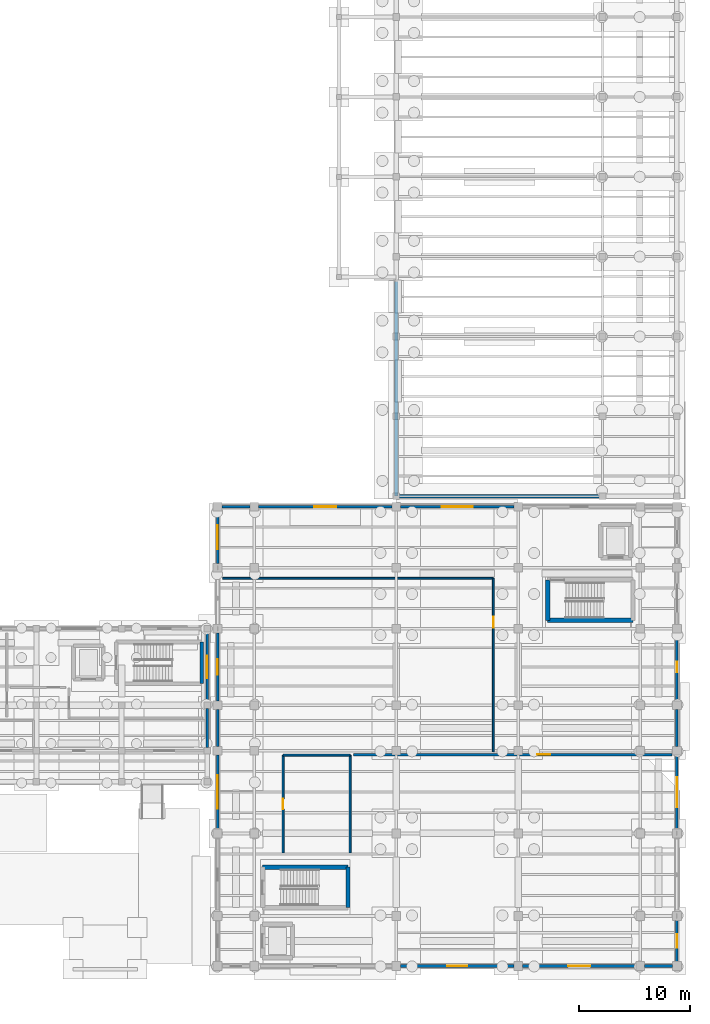
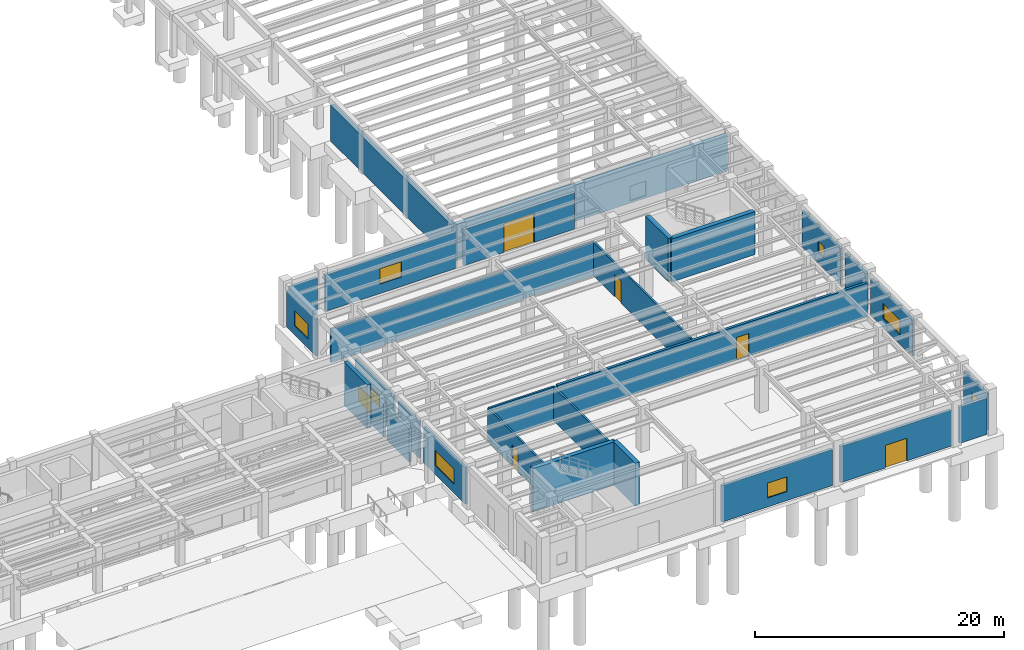
# One storey, part 32 of 41: 29 walls, 9 windows, 5 doors, 14 openings.
"""IFC4 building model written with IfcOpenShell, lengths in metres."""

from ifc_helpers import new_model, si_unit, direction, frame, frame_2d, origin, place, context, subcontext, project, spatial, rectangle, extrude, material, layer, layer_set, type_object, element, fill, save


model = new_model("IFC4")

# Units and contexts
model_context = context("Model", 3, precision=1e-05, world=origin(), true_north=direction((0.0, 1.0)))
body_context = subcontext(model_context, "Body", "Model", "MODEL_VIEW")
ifc_project = project(units=[si_unit("LENGTHUNIT", "METRE"), si_unit("AREAUNIT", "SQUARE_METRE"), si_unit("VOLUMEUNIT", "CUBIC_METRE"), si_unit("PLANEANGLEUNIT", "RADIAN"), si_unit("MASSUNIT", "GRAM", prefix="KILO")], contexts=[model_context])

# Site, building, storey
site_placement = place(None, origin())
site = spatial("IfcSite", under=ifc_project, at=site_placement, CompositionType="ELEMENT")
building_placement = place(site_placement, origin())
building = spatial("IfcBuilding", under=site, at=building_placement, Name="Candilejo Ridge Gondola Terminal", CompositionType="ELEMENT")
storey_placement = place(building_placement, origin())
storey = spatial("IfcBuildingStorey", under=building, at=storey_placement, Name="L00", CompositionType="ELEMENT", Elevation=0.0)

# Wall
ifc_material_1 = material(Name="Concrete C20/25 masonry blockwork (f'm 14 MPa)", Category="masonry")
ifc_layer_1 = layer(ifc_material_1, 0.219970703125)
ifc_layer_set_1 = layer_set([ifc_layer_1], Name="ARC-EXT-WALL-220")
wall_type_1 = type_object("IfcWallType", Name="ARC-EXT-WALL-220", PredefinedType="STANDARD", material=ifc_layer_set_1)
wall_1_placement = place(storey_placement, frame((132.949951171875, 29.5, 0.0), z_axis=(0.0, 0.0, 1.0), x_axis=(0.0, -1.0, 0.0)))
element("IfcWall", 1, at=wall_1_placement, inside=storey, type_object=wall_type_1, Name="Exterior facade wall EW-V3-L00-072", PredefinedType="STANDARD", context=body_context, shape_type="SweptSolid", body=[
    extrude(rectangle(XDim=3.5, YDim=0.219970703125, at=frame_2d((1.75, 0.0))), origin(), (0.0, 0.0, 1.0), 3.239990234375),
])

# Wall, opening, window
wall_2_placement = place(storey_placement, frame((132.949951171875, 36.39990234375, 0.0), z_axis=(0.0, 0.0, 1.0), x_axis=(0.0, -1.0, 0.0)))
wall_2 = element("IfcWall", 2, at=wall_2_placement, inside=storey, type_object=wall_type_1, Name="Exterior facade wall EW-V3-L00-074", PredefinedType="STANDARD", context=body_context, shape_type="SweptSolid", body=[
    extrude(rectangle(XDim=6.2998046875, YDim=0.219970703125, at=frame_2d((3.14990234375, 0.0))), origin(), (0.0, 0.0, 1.0), 3.239990234375),
])
opening_1_placement = place(wall_2_placement, frame((2.14990234375, 0.0, 0.919921875)))
opening_1 = element("IfcOpeningElement", 3, at=opening_1_placement, cuts=wall_2, Name="Opening WN-01C", PredefinedType="OPENING", context=body_context, shape_type="SweptSolid", body=[
    extrude(rectangle(XDim=2.0, YDim=1.5, at=frame_2d((1.0, 0.75))), frame((0.0, 0.119873046875, 0.0), z_axis=(0.0, -1.0, 0.0), x_axis=(1.0, 0.0, 0.0)), (0.0, 0.0, 1.0), 0.239990234375),
])
ifc_material_2 = material(Name="Low-E laminated double glazing 6+12A+6+1.52PVB+6 mm", Category="glass")
window_type_1 = type_object("IfcWindowType", Name="ARC-WIN-2000X1500", PartitioningType="SINGLE_PANEL", PredefinedType="WINDOW", material=ifc_material_2)
window_1_placement = place(opening_1_placement, origin())
window_1 = element("IfcWindow", 4, at=window_1_placement, inside=storey, type_object=window_type_1, Name="Window WIN-034", OverallHeight=1.5, OverallWidth=2.0, PartitioningType="SINGLE_PANEL", PredefinedType="WINDOW", context=body_context, shape_type="SweptSolid", body=[
    extrude(rectangle(XDim=2.0, YDim=1.5, at=frame_2d((1.0, 0.75))), frame((0.0, 0.030029296875, 0.0), z_axis=(0.0, -1.0, 0.0), x_axis=(1.0, 0.0, 0.0)), (0.0, 0.0, 1.0), 0.06005859375),
])
fill(opening_1, window_1)

wall_3_placement = place(storey_placement, frame((175.300048828125, 10.425048828125, 0.0), z_axis=(0.0, 0.0, 1.0), x_axis=(0.0, -1.0, 0.0)))
wall_3 = element("IfcWall", 5, at=wall_3_placement, inside=storey, type_object=wall_type_1, Name="Exterior facade wall EW-V4-L00-100", PredefinedType="STANDARD", context=body_context, shape_type="SweptSolid", body=[
    extrude(rectangle(XDim=3.75, YDim=0.219970703125, at=frame_2d((1.875, 0.0))), origin(), (0.0, 0.0, 1.0), 3.544921875),
])
opening_2_placement = place(wall_3_placement, frame((1.27490234375, 0.0, 1.050048828125)))
opening_2 = element("IfcOpeningElement", 6, at=opening_2_placement, cuts=wall_3, Name="Opening WN-04B", PredefinedType="OPENING", context=body_context, shape_type="SweptSolid", body=[
    extrude(rectangle(XDim=1.199951171875, YDim=1.14990234375, at=frame_2d((0.60009765625, 0.574951171875))), frame((0.0, 0.119873046875, 0.0), z_axis=(0.0, -1.0, 0.0), x_axis=(1.0, 0.0, 0.0)), (0.0, 0.0, 1.0), 0.239990234375),
])
ifc_material_3 = material(Name="Low-E laminated double glazing 6+12A+6+1.52PVB+6 mm", Category="glass")
window_type_2 = type_object("IfcWindowType", Name="ARC-WIN-1200X1150", PartitioningType="SINGLE_PANEL", PredefinedType="WINDOW", material=ifc_material_3)
window_2_placement = place(opening_2_placement, origin())
window_2 = element("IfcWindow", 7, at=window_2_placement, inside=storey, type_object=window_type_2, Name="Window WIN-047", OverallHeight=1.14990234375, OverallWidth=1.199951171875, PartitioningType="SINGLE_PANEL", PredefinedType="WINDOW", context=body_context, shape_type="SweptSolid", body=[
    extrude(rectangle(XDim=1.199951171875, YDim=1.14990234375, at=frame_2d((0.60009765625, 0.574951171875))), frame((0.0, 0.030029296875, 0.0), z_axis=(0.0, -1.0, 0.0), x_axis=(1.0, 0.0, 0.0)), (0.0, 0.0, 1.0), 0.06005859375),
])
fill(opening_2, window_2)

wall_4_placement = place(storey_placement, frame((133.89990234375, 18.625, 0.0), z_axis=(0.0, 0.0, 1.0), x_axis=(0.0, 1.0, 0.0)))
wall_4 = element("IfcWall", 8, at=wall_4_placement, inside=storey, type_object=wall_type_1, Name="Exterior facade wall EW-V4-L00-102", PredefinedType="STANDARD", context=body_context, shape_type="SweptSolid", body=[
    extrude(rectangle(XDim=6.699951171875, YDim=0.219970703125, at=frame_2d((3.35009765625, 0.0))), origin(), (0.0, 0.0, 1.0), 3.544921875),
])
opening_3_placement = place(wall_4_placement, frame((1.85009765625, 0.0, 0.8798828125)))
opening_3 = element("IfcOpeningElement", 9, at=opening_3_placement, cuts=wall_4, Name="Opening WN-05", PredefinedType="OPENING", context=body_context, shape_type="SweptSolid", body=[
    extrude(rectangle(XDim=3.0, YDim=1.449951171875, at=frame_2d((1.5, 0.72509765625))), frame((0.0, 0.119873046875, 0.0), z_axis=(0.0, -1.0, 0.0), x_axis=(1.0, 0.0, 0.0)), (0.0, 0.0, 1.0), 0.239990234375),
])
ifc_material_4 = material(Name="Low-E laminated double glazing 6+12A+6+1.52PVB+6 mm", Category="glass")
window_type_3 = type_object("IfcWindowType", Name="ARC-WIN-3000X1650", PartitioningType="SINGLE_PANEL", PredefinedType="WINDOW", material=ifc_material_4)
window_3_placement = place(opening_3_placement, origin())
window_3 = element("IfcWindow", 10, at=window_3_placement, inside=storey, type_object=window_type_3, Name="Window WIN-048", OverallHeight=1.449951171875, OverallWidth=3.0, PartitioningType="SINGLE_PANEL", PredefinedType="WINDOW", context=body_context, shape_type="SweptSolid", body=[
    extrude(rectangle(XDim=3.0, YDim=1.449951171875, at=frame_2d((1.5, 0.72509765625))), frame((0.0, 0.030029296875, 0.0), z_axis=(0.0, -1.0, 0.0), x_axis=(1.0, 0.0, 0.0)), (0.0, 0.0, 1.0), 0.06005859375),
])
fill(opening_3, window_3)

wall_5_placement = place(storey_placement, frame((175.300048828125, 25.324951171875, 0.0), z_axis=(0.0, 0.0, 1.0), x_axis=(0.0, -1.0, 0.0)))
wall_5 = element("IfcWall", 11, at=wall_5_placement, inside=storey, type_object=wall_type_1, Name="Exterior facade wall EW-V4-L00-103", PredefinedType="STANDARD", context=body_context, shape_type="SweptSolid", body=[
    extrude(rectangle(XDim=6.699951171875, YDim=0.219970703125, at=frame_2d((3.35009765625, 0.0))), origin(), (0.0, 0.0, 1.0), 3.544921875),
])
opening_4_placement = place(wall_5_placement, frame((2.0, 0.0, 0.8798828125)))
opening_4 = element("IfcOpeningElement", 12, at=opening_4_placement, cuts=wall_5, Name="Opening WN-05B", PredefinedType="OPENING", context=body_context, shape_type="SweptSolid", body=[
    extrude(rectangle(XDim=2.699951171875, YDim=1.449951171875, at=frame_2d((1.35009765625, 0.72509765625))), frame((0.0, 0.119873046875, 0.0), z_axis=(0.0, -1.0, 0.0), x_axis=(1.0, 0.0, 0.0)), (0.0, 0.0, 1.0), 0.239990234375),
])
ifc_material_5 = material(Name="Low-E laminated double glazing 6+12A+6+1.52PVB+6 mm", Category="glass")
window_type_4 = type_object("IfcWindowType", Name="ARC-WIN-2700X1550", PartitioningType="SINGLE_PANEL", PredefinedType="WINDOW", material=ifc_material_5)
window_4_placement = place(opening_4_placement, origin())
window_4 = element("IfcWindow", 13, at=window_4_placement, inside=storey, type_object=window_type_4, Name="Window WIN-049", OverallHeight=1.449951171875, OverallWidth=2.699951171875, PartitioningType="SINGLE_PANEL", PredefinedType="WINDOW", context=body_context, shape_type="SweptSolid", body=[
    extrude(rectangle(XDim=2.699951171875, YDim=1.449951171875, at=frame_2d((1.35009765625, 0.72509765625))), frame((0.0, 0.030029296875, 0.0), z_axis=(0.0, -1.0, 0.0), x_axis=(1.0, 0.0, 0.0)), (0.0, 0.0, 1.0), 0.06005859375),
])
fill(opening_4, window_4)

# Walls
for number, where, z_axis, x_axis, name in (
    (14, (133.89990234375, 26.074951171875, 0.0), (0.0, 0.0, 1.0), (0.0, 1.0, 0.0), "Exterior facade wall EW-V4-L00-104"),
    (15, (175.300048828125, 29.425048828125, 0.0), (0.0, 0.0, 1.0), (0.0, -1.0, 0.0), "Exterior facade wall EW-V4-L00-105"),
):
    element("IfcWall", number, at=place(storey_placement, frame(where, z_axis=z_axis, x_axis=x_axis)), inside=storey, type_object=wall_type_1, Name=name, PredefinedType="STANDARD", context=body_context, shape_type="SweptSolid", body=[
        extrude(rectangle(XDim=3.35009765625, YDim=0.219970703125, at=frame_2d((1.675048828125, 0.0))), origin(), (0.0, 0.0, 1.0), 3.544921875),
    ])

# Wall, opening, window
wall_6_placement = place(storey_placement, frame((133.89990234375, 30.175048828125, 0.0), z_axis=(0.0, 0.0, 1.0), x_axis=(0.0, 1.0, 0.0)))
wall_6 = element("IfcWall", 16, at=wall_6_placement, inside=storey, type_object=wall_type_1, Name="Exterior facade wall EW-V4-L00-106", PredefinedType="STANDARD", context=body_context, shape_type="SweptSolid", body=[
    extrude(rectangle(XDim=6.14990234375, YDim=0.219970703125, at=frame_2d((3.074951171875, 0.0))), origin(), (0.0, 0.0, 1.0), 3.544921875),
])
opening_5_placement = place(wall_6_placement, frame((2.375, 0.0, 1.050048828125)))
opening_5 = element("IfcOpeningElement", 17, at=opening_5_placement, cuts=wall_6, Name="Opening WN-05E", PredefinedType="OPENING", context=body_context, shape_type="SweptSolid", body=[
    extrude(rectangle(XDim=1.39990234375, YDim=1.10009765625, at=frame_2d((0.699951171875, 0.550048828125))), frame((0.0, 0.119873046875, 0.0), z_axis=(0.0, -1.0, 0.0), x_axis=(1.0, 0.0, 0.0)), (0.0, 0.0, 1.0), 0.239990234375),
])
ifc_material_6 = material(Name="Low-E laminated double glazing 6+12A+6+1.52PVB+6 mm", Category="glass")
window_type_5 = type_object("IfcWindowType", Name="ARC-WIN-1400X1100", PartitioningType="SINGLE_PANEL", PredefinedType="WINDOW", material=ifc_material_6)
window_5_placement = place(opening_5_placement, origin())
window_5 = element("IfcWindow", 18, at=window_5_placement, inside=storey, type_object=window_type_5, Name="Window WIN-050", OverallHeight=1.10009765625, OverallWidth=1.39990234375, PartitioningType="SINGLE_PANEL", PredefinedType="WINDOW", context=body_context, shape_type="SweptSolid", body=[
    extrude(rectangle(XDim=1.39990234375, YDim=1.10009765625, at=frame_2d((0.699951171875, 0.550048828125))), frame((0.0, 0.030029296875, 0.0), z_axis=(0.0, -1.0, 0.0), x_axis=(1.0, 0.0, 0.0)), (0.0, 0.0, 1.0), 0.06005859375),
])
fill(opening_5, window_5)

wall_7_placement = place(storey_placement, frame((175.300048828125, 36.324951171875, 0.0), z_axis=(0.0, 0.0, 1.0), x_axis=(0.0, -1.0, 0.0)))
wall_7 = element("IfcWall", 19, at=wall_7_placement, inside=storey, type_object=wall_type_1, Name="Exterior facade wall EW-V4-L00-107", PredefinedType="STANDARD", context=body_context, shape_type="SweptSolid", body=[
    extrude(rectangle(XDim=6.14990234375, YDim=0.219970703125, at=frame_2d((3.074951171875, 0.0))), origin(), (0.0, 0.0, 1.0), 3.544921875),
])
opening_6_placement = place(wall_7_placement, frame((2.60009765625, 0.0, 1.080078125)))
opening_6 = element("IfcOpeningElement", 20, at=opening_6_placement, cuts=wall_7, Name="Opening WN-05F", PredefinedType="OPENING", context=body_context, shape_type="SweptSolid", body=[
    extrude(rectangle(XDim=0.949951171875, YDim=1.050048828125, at=frame_2d((0.47509765625, 0.52490234375))), frame((0.0, 0.119873046875, 0.0), z_axis=(0.0, -1.0, 0.0), x_axis=(1.0, 0.0, 0.0)), (0.0, 0.0, 1.0), 0.239990234375),
])
ifc_material_7 = material(Name="Low-E laminated double glazing 6+12A+6+1.52PVB+6 mm", Category="glass")
window_type_6 = type_object("IfcWindowType", Name="ARC-WIN-0950X1050", PartitioningType="SINGLE_PANEL", PredefinedType="WINDOW", material=ifc_material_7)
window_6_placement = place(opening_6_placement, origin())
window_6 = element("IfcWindow", 21, at=window_6_placement, inside=storey, type_object=window_type_6, Name="Window WIN-051", OverallHeight=1.050048828125, OverallWidth=0.949951171875, PartitioningType="SINGLE_PANEL", PredefinedType="WINDOW", context=body_context, shape_type="SweptSolid", body=[
    extrude(rectangle(XDim=0.949951171875, YDim=1.050048828125, at=frame_2d((0.47509765625, 0.52490234375))), frame((0.0, 0.030029296875, 0.0), z_axis=(0.0, -1.0, 0.0), x_axis=(1.0, 0.0, 0.0)), (0.0, 0.0, 1.0), 0.06005859375),
])
fill(opening_6, window_6)

wall_8_placement = place(storey_placement, frame((133.89990234375, 42.574951171875, 0.0), z_axis=(0.0, 0.0, 1.0), x_axis=(0.0, 1.0, 0.0)))
wall_8 = element("IfcWall", 22, at=wall_8_placement, inside=storey, type_object=wall_type_1, Name="Exterior facade wall EW-V4-L00-109", PredefinedType="STANDARD", context=body_context, shape_type="SweptSolid", body=[
    extrude(rectangle(XDim=4.75, YDim=0.219970703125, at=frame_2d((2.375, 0.0))), origin(), (0.0, 0.0, 1.0), 3.544921875),
])
opening_7_placement = place(wall_8_placement, frame((1.27490234375, 0.0, 0.8798828125)))
opening_7 = element("IfcOpeningElement", 23, at=opening_7_placement, cuts=wall_8, Name="Opening WN-01B", PredefinedType="OPENING", context=body_context, shape_type="SweptSolid", body=[
    extrude(rectangle(XDim=2.199951171875, YDim=1.449951171875, at=frame_2d((1.10009765625, 0.72509765625))), frame((0.0, 0.119873046875, 0.0), z_axis=(0.0, -1.0, 0.0), x_axis=(1.0, 0.0, 0.0)), (0.0, 0.0, 1.0), 0.239990234375),
])
ifc_material_8 = material(Name="Low-E laminated double glazing 6+12A+6+1.52PVB+6 mm", Category="glass")
window_type_7 = type_object("IfcWindowType", Name="ARC-WIN-2200X1550", PartitioningType="SINGLE_PANEL", PredefinedType="WINDOW", material=ifc_material_8)
window_7_placement = place(opening_7_placement, origin())
window_7 = element("IfcWindow", 24, at=window_7_placement, inside=storey, type_object=window_type_7, Name="Window WIN-053", OverallHeight=1.449951171875, OverallWidth=2.199951171875, PartitioningType="SINGLE_PANEL", PredefinedType="WINDOW", context=body_context, shape_type="SweptSolid", body=[
    extrude(rectangle(XDim=2.199951171875, YDim=1.449951171875, at=frame_2d((1.10009765625, 0.72509765625))), frame((0.0, 0.030029296875, 0.0), z_axis=(0.0, -1.0, 0.0), x_axis=(1.0, 0.0, 0.0)), (0.0, 0.0, 1.0), 0.06005859375),
])
fill(opening_7, window_7)

# Wall
ifc_material_9 = material(Name="Cream Guayaquil limestone ashlar masonry (f'm 14 MPa)", Category="masonry")
ifc_layer_2 = layer(ifc_material_9, 0.25)
ifc_layer_set_2 = layer_set([ifc_layer_2], Name="ARC-EXT-WALL-250")
wall_type_2 = type_object("IfcWallType", Name="ARC-EXT-WALL-250", PredefinedType="STANDARD", material=ifc_layer_set_2)
wall_9_placement = place(storey_placement, frame((134.27490234375, 47.699951171875, 0.0), z_axis=(0.0, 0.0, 1.0), x_axis=(1.0, 0.0, 0.0)))
element("IfcWall", 25, at=wall_9_placement, inside=storey, type_object=wall_type_2, Name="Exterior facade wall EW-V4-L00-090", PredefinedType="STANDARD", context=body_context, shape_type="SweptSolid", body=[
    extrude(rectangle(XDim=2.550048828125, YDim=0.25, at=frame_2d((1.27490234375, 0.0))), origin(), (0.0, 0.0, 1.0), 3.544921875),
])

# Wall, opening, window
wall_10_placement = place(storey_placement, frame((137.574951171875, 47.699951171875, 0.0), z_axis=(0.0, 0.0, 1.0), x_axis=(1.0, 0.0, 0.0)))
wall_10 = element("IfcWall", 26, at=wall_10_placement, inside=storey, type_object=wall_type_2, Name="Exterior facade wall EW-V4-L00-092", PredefinedType="STANDARD", context=body_context, shape_type="SweptSolid", body=[
    extrude(rectangle(XDim=12.050048828125, YDim=0.25, at=frame_2d((6.02490234375, 0.0))), origin(), (0.0, 0.0, 1.0), 3.544921875),
])
opening_8_placement = place(wall_10_placement, frame((5.02490234375, 0.0, 0.919921875)))
opening_8 = element("IfcOpeningElement", 27, at=opening_8_placement, cuts=wall_10, Name="Opening WN-01C", PredefinedType="OPENING", context=body_context, shape_type="SweptSolid", body=[
    extrude(rectangle(XDim=2.0, YDim=1.5, at=frame_2d((1.0, 0.75))), frame((0.0, 0.135009765625, 0.0), z_axis=(0.0, -1.0, 0.0), x_axis=(1.0, 0.0, 0.0)), (0.0, 0.0, 1.0), 0.27001953125),
])
window_8_placement = place(opening_8_placement, origin())
window_8 = element("IfcWindow", 28, at=window_8_placement, inside=storey, type_object=window_type_1, Name="Window WIN-044", OverallHeight=1.5, OverallWidth=2.0, PartitioningType="SINGLE_PANEL", PredefinedType="WINDOW", context=body_context, shape_type="SweptSolid", body=[
    extrude(rectangle(XDim=2.0, YDim=1.5, at=frame_2d((1.0, 0.75))), frame((0.0, 0.030029296875, 0.0), z_axis=(0.0, -1.0, 0.0), x_axis=(1.0, 0.0, 0.0)), (0.0, 0.0, 1.0), 0.06005859375),
])
fill(opening_8, window_8)

wall_11_placement = place(storey_placement, frame((160.625, 6.300048828125, 0.0), z_axis=(0.0, 0.0, 1.0), x_axis=(-1.0, 0.0, 0.0)))
wall_11 = element("IfcWall", 29, at=wall_11_placement, inside=storey, type_object=wall_type_2, Name="Exterior facade wall EW-V4-L00-093", PredefinedType="STANDARD", context=body_context, shape_type="SweptSolid", body=[
    extrude(rectangle(XDim=10.25, YDim=0.25, at=frame_2d((5.125, 0.0))), origin(), (0.0, 0.0, 1.0), 3.544921875),
])
opening_9_placement = place(wall_11_placement, frame((4.22509765625, 0.0, 0.8798828125)))
opening_9 = element("IfcOpeningElement", 30, at=opening_9_placement, cuts=wall_11, Name="Opening WN-02", PredefinedType="OPENING", context=body_context, shape_type="SweptSolid", body=[
    extrude(rectangle(XDim=1.800048828125, YDim=1.449951171875, at=frame_2d((0.89990234375, 0.72509765625))), frame((0.0, 0.135009765625, 0.0), z_axis=(0.0, -1.0, 0.0), x_axis=(1.0, 0.0, 0.0)), (0.0, 0.0, 1.0), 0.27001953125),
])
ifc_material_10 = material(Name="Low-E laminated double glazing 6+12A+6+1.52PVB+6 mm", Category="glass")
window_type_8 = type_object("IfcWindowType", Name="ARC-WIN-1800X1650", PartitioningType="SINGLE_PANEL", PredefinedType="WINDOW", material=ifc_material_10)
window_9_placement = place(opening_9_placement, origin())
window_9 = element("IfcWindow", 31, at=window_9_placement, inside=storey, type_object=window_type_8, Name="Window WIN-045", OverallHeight=1.449951171875, OverallWidth=1.800048828125, PartitioningType="SINGLE_PANEL", PredefinedType="WINDOW", context=body_context, shape_type="SweptSolid", body=[
    extrude(rectangle(XDim=1.800048828125, YDim=1.449951171875, at=frame_2d((0.89990234375, 0.72509765625))), frame((0.0, 0.030029296875, 0.0), z_axis=(0.0, -1.0, 0.0), x_axis=(1.0, 0.0, 0.0)), (0.0, 0.0, 1.0), 0.06005859375),
])
fill(opening_9, window_9)

# Wall, opening, door
wall_12_placement = place(storey_placement, frame((150.375, 47.699951171875, 0.0), z_axis=(0.0, 0.0, 1.0), x_axis=(1.0, 0.0, 0.0)))
wall_12 = element("IfcWall", 32, at=wall_12_placement, inside=storey, type_object=wall_type_2, Name="Exterior facade wall EW-V4-L00-094", PredefinedType="STANDARD", context=body_context, shape_type="SweptSolid", body=[
    extrude(rectangle(XDim=10.25, YDim=0.25, at=frame_2d((5.125, 0.0))), origin(), (0.0, 0.0, 1.0), 3.544921875),
])
opening_10_placement = place(wall_12_placement, frame((3.72509765625, 0.0, 0.0)))
opening_10 = element("IfcOpeningElement", 33, at=opening_10_placement, cuts=wall_12, Name="Opening GT-02", PredefinedType="OPENING", context=body_context, shape_type="SweptSolid", body=[
    extrude(rectangle(XDim=2.800048828125, YDim=2.85009765625, at=frame_2d((1.39990234375, 1.425048828125))), frame((0.0, 0.135009765625, 0.0), z_axis=(0.0, -1.0, 0.0), x_axis=(1.0, 0.0, 0.0)), (0.0, 0.0, 1.0), 0.27001953125),
])
ifc_material_11 = material(Name="Anodised aluminium AA 6063-T6", Category="aluminium")
door_type_1 = type_object("IfcDoorType", Name="ARC-GATE-ROLL-2800", OperationType="NOTDEFINED", PredefinedType="GATE", material=ifc_material_11)
door_1_placement = place(opening_10_placement, origin())
door_1 = element("IfcDoor", 34, at=door_1_placement, inside=storey, type_object=door_type_1, Name="Exterior door EDR-015", OperationType="ROLLINGUP", OverallHeight=2.85009765625, OverallWidth=2.800048828125, PredefinedType="GATE", context=body_context, shape_type="SweptSolid", body=[
    extrude(rectangle(XDim=2.800048828125, YDim=2.85009765625, at=frame_2d((1.39990234375, 1.425048828125))), frame((0.0, 0.02490234375, 0.0), z_axis=(0.0, -1.0, 0.0), x_axis=(1.0, 0.0, 0.0)), (0.0, 0.0, 1.0), 0.050048828125),
])
fill(opening_10, door_1)

wall_13_placement = place(storey_placement, frame((171.625, 6.300048828125, 0.0), z_axis=(0.0, 0.0, 1.0), x_axis=(-1.0, 0.0, 0.0)))
wall_13 = element("IfcWall", 35, at=wall_13_placement, inside=storey, type_object=wall_type_2, Name="Exterior facade wall EW-V4-L00-095", PredefinedType="STANDARD", context=body_context, shape_type="SweptSolid", body=[
    extrude(rectangle(XDim=10.25, YDim=0.25, at=frame_2d((5.125, 0.0))), origin(), (0.0, 0.0, 1.0), 3.544921875),
])
opening_11_placement = place(wall_13_placement, frame((4.125, 0.0, 0.0)))
opening_11 = element("IfcOpeningElement", 36, at=opening_11_placement, cuts=wall_13, Name="Opening ED-01", PredefinedType="OPENING", context=body_context, shape_type="SweptSolid", body=[
    extrude(rectangle(XDim=2.0, YDim=2.219970703125, at=frame_2d((1.0, 1.10986328125))), frame((0.0, 0.135009765625, 0.0), z_axis=(0.0, -1.0, 0.0), x_axis=(1.0, 0.0, 0.0)), (0.0, 0.0, 1.0), 0.27001953125),
])
ifc_material_12 = material(Name="Anodised aluminium AA 6063-T6", Category="aluminium")
door_type_2 = type_object("IfcDoorType", Name="ARC-DOOR-EXT-DBL-2000", OperationType="NOTDEFINED", PredefinedType="DOOR", material=ifc_material_12)
door_2_placement = place(opening_11_placement, origin())
door_2 = element("IfcDoor", 37, at=door_2_placement, inside=storey, type_object=door_type_2, Name="Exterior door EDR-016", OperationType="DOUBLE_DOOR_SINGLE_SWING", OverallHeight=2.219970703125, OverallWidth=2.0, PredefinedType="DOOR", context=body_context, shape_type="SweptSolid", body=[
    extrude(rectangle(XDim=2.0, YDim=2.219970703125, at=frame_2d((1.0, 1.10986328125))), frame((0.0, 0.02490234375, 0.0), z_axis=(0.0, -1.0, 0.0), x_axis=(1.0, 0.0, 0.0)), (0.0, 0.0, 1.0), 0.050048828125),
])
fill(opening_11, door_2)

# Wall
wall_14_placement = place(storey_placement, frame((174.925048828125, 6.300048828125, 0.0), z_axis=(0.0, 0.0, 1.0), x_axis=(-1.0, 0.0, 0.0)))
element("IfcWall", 38, at=wall_14_placement, inside=storey, type_object=wall_type_2, Name="Exterior facade wall EW-V4-L00-097", PredefinedType="STANDARD", context=body_context, shape_type="SweptSolid", body=[
    extrude(rectangle(XDim=2.550048828125, YDim=0.25, at=frame_2d((1.27490234375, 0.0))), origin(), (0.0, 0.0, 1.0), 3.544921875),
])

# Wall, opening, door
ifc_material_13 = material(Name="Concrete C20/25 masonry blockwork (f'm 14 MPa)", Category="masonry")
ifc_layer_3 = layer(ifc_material_13, 0.169921875)
ifc_layer_set_3 = layer_set([ifc_layer_3], Name="ARC-WALL-CMU170-EI90")
wall_type_3 = type_object("IfcWallType", Name="ARC-WALL-CMU170-EI90", PredefinedType="SOLIDWALL", material=ifc_layer_set_3)
wall_15_placement = place(storey_placement, frame((158.75, 25.60009765625, 0.0), z_axis=(0.0, 0.0, 1.0), x_axis=(0.0, 1.0, 0.0)))
wall_15 = element("IfcWall", 39, at=wall_15_placement, inside=storey, type_object=wall_type_3, Name="Interior partition PT-V4-L00-0029", PredefinedType="SOLIDWALL", context=body_context, shape_type="SweptSolid", body=[
    extrude(rectangle(XDim=15.64990234375, YDim=0.169921875, at=frame_2d((7.824951171875, 0.0))), origin(), (0.0, 0.0, 1.0), 3.300048828125),
])
opening_12_placement = place(wall_15_placement, frame((11.175048828125, 0.0, 0.0)))
opening_12 = element("IfcOpeningElement", 40, at=opening_12_placement, cuts=wall_15, Name="Opening FD-02", PredefinedType="OPENING", context=body_context, shape_type="SweptSolid", body=[
    extrude(rectangle(XDim=1.0, YDim=2.14990234375, at=frame_2d((0.5, 1.074951171875))), frame((0.0, 0.094970703125, 0.0), z_axis=(0.0, -1.0, 0.0), x_axis=(1.0, 0.0, 0.0)), (0.0, 0.0, 1.0), 0.18994140625),
])
ifc_material_14 = material(Name="Steel ASTM A653 Grade 33 hollow-metal door", Category="steel")
door_type_3 = type_object("IfcDoorType", Name="ARC-DOOR-FD60-1000", OperationType="NOTDEFINED", PredefinedType="DOOR", material=ifc_material_14)
door_3_placement = place(opening_12_placement, origin())
door_3 = element("IfcDoor", 41, at=door_3_placement, inside=storey, type_object=door_type_3, Name="Interior door IDR-0017 (022)", OperationType="SINGLE_SWING_LEFT", OverallHeight=2.14990234375, OverallWidth=1.0, PredefinedType="DOOR", context=body_context, shape_type="SweptSolid", body=[
    extrude(rectangle(XDim=1.0, YDim=2.14990234375, at=frame_2d((0.5, 1.074951171875))), frame((0.0, 0.02490234375, 0.0), z_axis=(0.0, -1.0, 0.0), x_axis=(1.0, 0.0, 0.0)), (0.0, 0.0, 1.0), 0.050048828125),
])
fill(opening_12, door_3)

# Wall
wall_16_placement = place(storey_placement, frame((134.35009765625, 41.25, 0.0), z_axis=(0.0, 0.0, 1.0), x_axis=(1.0, 0.0, 0.0)))
element("IfcWall", 42, at=wall_16_placement, inside=storey, type_object=wall_type_3, Name="Interior partition PT-V4-L00-0030", PredefinedType="SOLIDWALL", context=body_context, shape_type="SweptSolid", body=[
    extrude(rectangle(XDim=24.39990234375, YDim=0.169921875, at=frame_2d((12.199951171875, 0.0))), origin(), (0.0, 0.0, 1.0), 3.300048828125),
])

# Wall, opening, door
ifc_material_15 = material(Name="Concrete C20/25 masonry blockwork (f'm 14 MPa)", Category="masonry")
ifc_layer_4 = layer(ifc_material_15, 0.239990234375)
ifc_layer_set_4 = layer_set([ifc_layer_4], Name="ARC-WALL-CMU240-EI120")
wall_type_4 = type_object("IfcWallType", Name="ARC-WALL-CMU240-EI120", PredefinedType="SOLIDWALL", material=ifc_layer_set_4)
wall_17_placement = place(storey_placement, frame((146.14990234375, 25.35009765625, 0.0), z_axis=(0.0, 0.0, 1.0), x_axis=(1.0, 0.0, 0.0)))
wall_17 = element("IfcWall", 43, at=wall_17_placement, inside=storey, type_object=wall_type_4, Name="Interior partition PT-V4-L00-0028", PredefinedType="SOLIDWALL", context=body_context, shape_type="SweptSolid", body=[
    extrude(rectangle(XDim=28.7001953125, YDim=0.239990234375, at=frame_2d((14.35009765625, 0.0))), origin(), (0.0, 0.0, 1.0), 3.300048828125),
])
opening_13_placement = place(wall_17_placement, frame((16.574951171875, 0.0, 0.0)))
opening_13 = element("IfcOpeningElement", 44, at=opening_13_placement, cuts=wall_17, Name="Opening FD-01B", PredefinedType="OPENING", context=body_context, shape_type="SweptSolid", body=[
    extrude(rectangle(XDim=1.14990234375, YDim=2.199951171875, at=frame_2d((0.574951171875, 1.10009765625))), frame((0.0, 0.1298828125, 0.0), z_axis=(0.0, -1.0, 0.0), x_axis=(1.0, 0.0, 0.0)), (0.0, 0.0, 1.0), 0.260009765625),
])
ifc_material_16 = material(Name="Steel ASTM A653 Grade 33 hollow-metal door", Category="steel")
door_type_4 = type_object("IfcDoorType", Name="ARC-DOOR-FD90-1150", OperationType="NOTDEFINED", PredefinedType="DOOR", material=ifc_material_16)
door_4_placement = place(opening_13_placement, origin())
door_4 = element("IfcDoor", 45, at=door_4_placement, inside=storey, type_object=door_type_4, Name="Interior door IDR-0016 (021)", OperationType="SINGLE_SWING_RIGHT", OverallHeight=2.199951171875, OverallWidth=1.14990234375, PredefinedType="DOOR", context=body_context, shape_type="SweptSolid", body=[
    extrude(rectangle(XDim=1.14990234375, YDim=2.199951171875, at=frame_2d((0.574951171875, 1.10009765625))), frame((0.0, 0.02490234375, 0.0), z_axis=(0.0, -1.0, 0.0), x_axis=(1.0, 0.0, 0.0)), (0.0, 0.0, 1.0), 0.050048828125),
])
fill(opening_13, door_4)

# Wall
ifc_material_17 = material(Name="Concrete C20/25 masonry blockwork (f'm 14 MPa)", Category="masonry")
ifc_layer_5 = layer(ifc_material_17, 0.179931640625)
ifc_layer_set_5 = layer_set([ifc_layer_5], Name="ARC-WALL-PLUMBING-180")
wall_type_5 = type_object("IfcWallType", Name="ARC-WALL-PLUMBING-180", PredefinedType="PLUMBINGWALL", material=ifc_layer_set_5)
wall_18_placement = place(storey_placement, frame((139.800048828125, 25.300048828125, 0.0), z_axis=(0.0, 0.0, 1.0), x_axis=(1.0, 0.0, 0.0)))
element("IfcWall", 46, at=wall_18_placement, inside=storey, type_object=wall_type_5, Name="Interior partition PT-V4-L00-0031", PredefinedType="PLUMBINGWALL", context=body_context, shape_type="SweptSolid", body=[
    extrude(rectangle(XDim=6.050048828125, YDim=0.179931640625, at=frame_2d((3.02490234375, 0.0))), origin(), (0.0, 0.0, 1.0), 3.300048828125),
])

# Wall, opening, door
wall_19_placement = place(storey_placement, frame((139.800048828125, 16.5, 0.0), z_axis=(0.0, 0.0, 1.0), x_axis=(0.0, 1.0, 0.0)))
wall_19 = element("IfcWall", 47, at=wall_19_placement, inside=storey, type_object=wall_type_5, Name="Interior partition PT-V4-L00-0032", PredefinedType="PLUMBINGWALL", context=body_context, shape_type="SweptSolid", body=[
    extrude(rectangle(XDim=8.800048828125, YDim=0.179931640625, at=frame_2d((4.39990234375, 0.0))), origin(), (0.0, 0.0, 1.0), 3.300048828125),
])
opening_14_placement = place(wall_19_placement, frame((3.93994140625, 0.0, 0.0)))
opening_14 = element("IfcOpeningElement", 48, at=opening_14_placement, cuts=wall_19, Name="Opening ID-04A", PredefinedType="OPENING", context=body_context, shape_type="SweptSolid", body=[
    extrude(rectangle(XDim=0.919921875, YDim=2.10009765625, at=frame_2d((0.4599609375, 1.050048828125))), frame((0.0, 0.099853515625, 0.0), z_axis=(0.0, -1.0, 0.0), x_axis=(1.0, 0.0, 0.0)), (0.0, 0.0, 1.0), 0.199951171875),
])
ifc_material_18 = material(Name="Solid-core fire-rated hardwood door leaf", Category="wood")
door_type_5 = type_object("IfcDoorType", Name="ARC-DOOR-WC-0920", OperationType="NOTDEFINED", PredefinedType="DOOR", material=ifc_material_18)
door_5_placement = place(opening_14_placement, origin())
door_5 = element("IfcDoor", 49, at=door_5_placement, inside=storey, type_object=door_type_5, Name="Interior door IDR-0018 (025)", OperationType="SINGLE_SWING_RIGHT", OverallHeight=2.10009765625, OverallWidth=0.919921875, PredefinedType="DOOR", context=body_context, shape_type="SweptSolid", body=[
    extrude(rectangle(XDim=0.919921875, YDim=2.10009765625, at=frame_2d((0.4599609375, 1.050048828125))), frame((0.0, 0.02490234375, 0.0), z_axis=(0.0, -1.0, 0.0), x_axis=(1.0, 0.0, 0.0)), (0.0, 0.0, 1.0), 0.050048828125),
])
fill(opening_14, door_5)

# Walls
wall_20_placement = place(storey_placement, frame((145.85009765625, 16.5, 0.0), z_axis=(0.0, 0.0, 1.0), x_axis=(0.0, 1.0, 0.0)))
element("IfcWall", 50, at=wall_20_placement, inside=storey, type_object=wall_type_5, Name="Interior partition PT-V4-L00-0033", PredefinedType="PLUMBINGWALL", context=body_context, shape_type="SweptSolid", body=[
    extrude(rectangle(XDim=8.800048828125, YDim=0.179931640625, at=frame_2d((4.39990234375, 0.0))), origin(), (0.0, 0.0, 1.0), 3.300048828125),
])
ifc_material_19 = material(Name="Concrete f'c 35 MPa (C35/45)", Category="concrete")
ifc_layer_6 = layer(ifc_material_19, 0.324951171875)
ifc_layer_set_6 = layer_set([ifc_layer_6], Name="STR-CORE-WALL-325")
wall_type_6 = type_object("IfcWallType", Name="STR-CORE-WALL-325", PredefinedType="SHEAR", material=ifc_layer_set_6)
wall_21_placement = place(storey_placement, frame((132.449951171875, 35.5, 0.0), z_axis=(0.0, 0.0, 1.0), x_axis=(0.0, -1.0, 0.0)))
element("IfcWall", 51, at=wall_21_placement, inside=storey, type_object=wall_type_6, Name="Core stair shear wall SW-C-V3B-L00-ST-E", PredefinedType="SHEAR", context=body_context, shape_type="SweptSolid", body=[
    extrude(rectangle(XDim=3.75, YDim=0.324951171875, at=frame_2d((1.875, 0.0))), origin(), (0.0, 0.0, 1.0), 4.260009765625),
])
ifc_material_20 = material(Name="Concrete f'c 35 MPa (C35/45)", Category="concrete")
ifc_layer_7 = layer(ifc_material_20, 0.39990234375)
ifc_layer_set_7 = layer_set([ifc_layer_7], Name="STR-CORE-WALL-400")
wall_type_7 = type_object("IfcWallType", Name="STR-CORE-WALL-400", PredefinedType="SHEAR", material=ifc_layer_set_7)
wall_22_placement = place(storey_placement, frame((137.949951171875, 15.199951171875, 0.0), z_axis=(0.0, 0.0, 1.0), x_axis=(1.0, 0.0, 0.0)))
element("IfcWall", 52, at=wall_22_placement, inside=storey, type_object=wall_type_7, Name="Core stair shear wall SW-C-V4A-L00-ST-N", PredefinedType="SHEAR", context=body_context, shape_type="SweptSolid", body=[
    extrude(rectangle(XDim=7.699951171875, YDim=0.39990234375, at=frame_2d((3.85009765625, 0.0))), origin(), (0.0, 0.0, 1.0), 4.215087890625),
])
wall_23_placement = place(storey_placement, frame((145.64990234375, 15.199951171875, 0.0), z_axis=(0.0, 0.0, 1.0), x_axis=(0.0, -1.0, 0.0)))
element("IfcWall", 53, at=wall_23_placement, inside=storey, type_object=wall_type_7, Name="Core stair shear wall SW-C-V4A-L00-ST-E", PredefinedType="SHEAR", context=body_context, shape_type="SweptSolid", body=[
    extrude(rectangle(XDim=3.64990234375, YDim=0.39990234375, at=frame_2d((1.824951171875, 0.0))), origin(), (0.0, 0.0, 1.0), 4.215087890625),
])
wall_24_placement = place(storey_placement, frame((171.35009765625, 37.449951171875, 0.0), z_axis=(0.0, 0.0, 1.0), x_axis=(-1.0, 0.0, 0.0)))
element("IfcWall", 54, at=wall_24_placement, inside=storey, type_object=wall_type_7, Name="Core stair shear wall SW-C-V4B-L00-ST-S", PredefinedType="SHEAR", context=body_context, shape_type="SweptSolid", body=[
    extrude(rectangle(XDim=7.7001953125, YDim=0.39990234375, at=frame_2d((3.85009765625, 0.0))), origin(), (0.0, 0.0, 1.0), 4.215087890625),
])
wall_25_placement = place(storey_placement, frame((163.64990234375, 37.449951171875, 0.0), z_axis=(0.0, 0.0, 1.0), x_axis=(0.0, 1.0, 0.0)))
element("IfcWall", 55, at=wall_25_placement, inside=storey, type_object=wall_type_7, Name="Core stair shear wall SW-C-V4B-L00-ST-W", PredefinedType="SHEAR", context=body_context, shape_type="SweptSolid", body=[
    extrude(rectangle(XDim=3.650146484375, YDim=0.39990234375, at=frame_2d((1.8251953125, 0.0))), origin(), (0.0, 0.0, 1.0), 4.215087890625),
])
ifc_material_21 = material(Name="Concrete f'c 35 MPa (C35/45)", Category="concrete")
ifc_layer_8 = layer(ifc_material_21, 0.35009765625)
ifc_layer_set_8 = layer_set([ifc_layer_8], Name="STR-RET-WALL-350")
wall_type_8 = type_object("IfcWallType", Name="STR-RET-WALL-350", PredefinedType="USERDEFINED", material=ifc_layer_set_8)
wall_26_placement = place(storey_placement, frame((175.300048828125, 48.64990234375, 0.0), z_axis=(0.0, 0.0, 1.0), x_axis=(-1.0, 0.0, 0.0)))
element("IfcWall", 56, at=wall_26_placement, inside=storey, type_object=wall_type_8, Name="Hillside concrete retaining plinth wall S", ObjectType="RETAININGWALL", PredefinedType="USERDEFINED", context=body_context, shape_type="SweptSolid", body=[
    extrude(rectangle(XDim=25.300048828125, YDim=0.35009765625, at=frame_2d((12.64990234375, 0.0))), origin(), (0.0, 0.0, 1.0), 3.550048828125),
])
wall_27_placement = place(storey_placement, frame((150.0, 48.64990234375, 0.0), z_axis=(0.0, 0.0, 1.0), x_axis=(0.0, 1.0, 0.0)))
element("IfcWall", 57, at=wall_27_placement, inside=storey, type_object=wall_type_8, Name="Hillside concrete retaining plinth wall W1", ObjectType="RETAININGWALL", PredefinedType="USERDEFINED", context=body_context, shape_type="SweptSolid", body=[
    extrude(rectangle(XDim=19.35009765625, YDim=0.35009765625, at=frame_2d((9.675048828125, 0.0))), origin(), (0.0, 0.0, 1.0), 3.550048828125),
])

save(model, "model.ifc")
